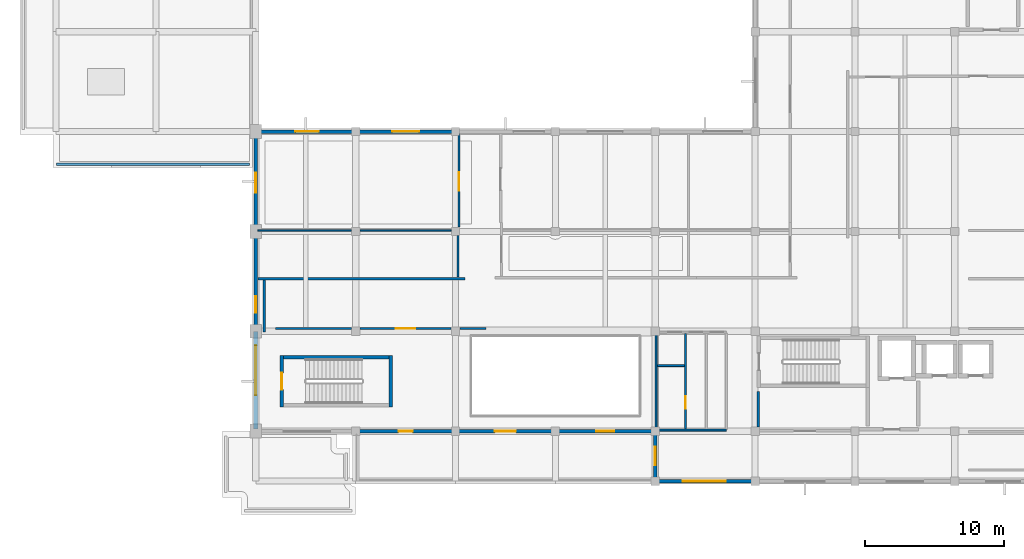
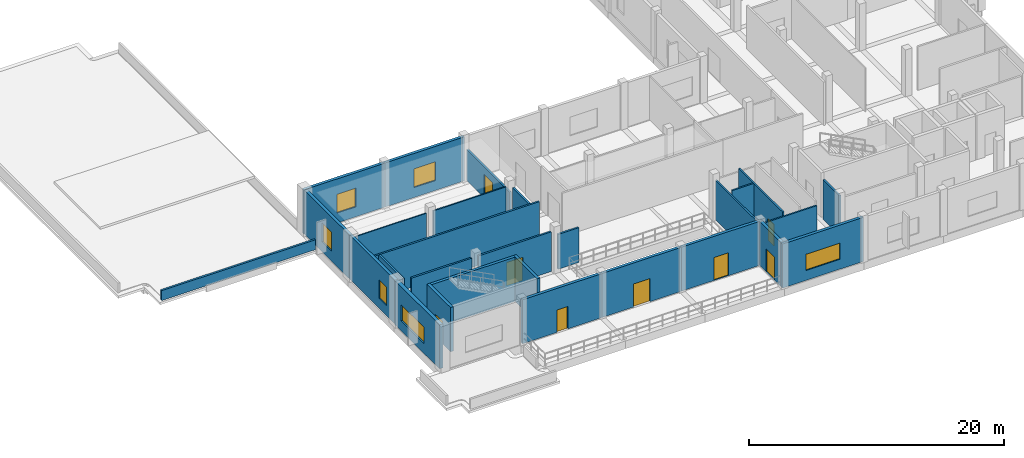
# One storey, part 4 of 14: 28 walls, 8 doors, 6 windows, 14 openings.
"""IFC4 building model written with IfcOpenShell, lengths in metres."""

from ifc_helpers import new_model, si_unit, direction, frame, frame_2d, origin, place, context, subcontext, project, spatial, rectangle, extrude, material, layer, layer_set, type_object, element, fill, save


model = new_model("IFC4")

# Units and contexts
model_context = context("Model", 3, precision=1e-05, world=origin(), true_north=direction((0.0, 1.0)))
body_context = subcontext(model_context, "Body", "Model", "MODEL_VIEW")
ifc_project = project(units=[si_unit("LENGTHUNIT", "METRE"), si_unit("AREAUNIT", "SQUARE_METRE"), si_unit("VOLUMEUNIT", "CUBIC_METRE"), si_unit("PLANEANGLEUNIT", "RADIAN"), si_unit("MASSUNIT", "GRAM", prefix="KILO")], contexts=[model_context])

# Site, building, storey
site_placement = place(None, origin())
site = spatial("IfcSite", under=ifc_project, at=site_placement, CompositionType="ELEMENT")
building_placement = place(site_placement, origin())
building = spatial("IfcBuilding", under=site, at=building_placement, Name="Seraya Terrace Polytechnic", CompositionType="ELEMENT")
storey_placement = place(building_placement, frame((0.0, 0.0, 27.89990234375)))
storey = spatial("IfcBuildingStorey", under=building, at=storey_placement, Name="L06", CompositionType="ELEMENT", Elevation=27.89990234375)

# Wall, opening, window
ifc_material_1 = material(Name="Precast concrete C40/50", Category="concrete")
ifc_layer_1 = layer(ifc_material_1, 0.260009765625, Name="EW-03")
ifc_layer_set_1 = layer_set([ifc_layer_1], Name="Precast concrete C40/50")
wall_type_1 = type_object("IfcWallType", Name="EW-03", PredefinedType="SOLIDWALL", material=ifc_layer_set_1)
wall_1_placement = place(storey_placement, frame((79.199951171875, 3.60009765625, 0.0), z_axis=(0.0, 0.0, 1.0), x_axis=(-1.0, 0.0, 0.0)))
wall_1 = element("IfcWall", 1, at=wall_1_placement, inside=storey, type_object=wall_type_1, Name="Exterior structural wall EW-03 L06", PredefinedType="SOLIDWALL", context=body_context, shape_type="SweptSolid", body=[
    extrude(rectangle(XDim=7.349853515625, YDim=0.260009765625, at=frame_2d((3.6748046875, 0.0))), origin(), (0.0, 0.0, 1.0), 4.22021484375),
])
opening_1_placement = place(wall_1_placement, frame((2.125, 0.0, 0.949951171875)))
opening_1 = element("IfcOpeningElement", 2, at=opening_1_placement, cuts=wall_1, Name="Opening WN-24", PredefinedType="OPENING", context=body_context, shape_type="SweptSolid", body=[
    extrude(rectangle(XDim=3.10009765625, YDim=1.550048828125, at=frame_2d((1.550048828125, 0.77490234375))), frame((0.0, 0.14208984375, 0.0), z_axis=(0.0, -1.0, 0.0), x_axis=(1.0, 0.0, 0.0)), (0.0, 0.0, 1.0), 0.283935546875),
])
ifc_material_2 = material(Name="Laminated solar-control Low-E double glazing", Category="glass")
window_type_1 = type_object("IfcWindowType", Name="WN-24", PartitioningType="SINGLE_PANEL", PredefinedType="WINDOW", material=ifc_material_2)
window_1_placement = place(opening_1_placement, origin())
window_1 = element("IfcWindow", 3, at=window_1_placement, inside=storey, type_object=window_type_1, Name="Exterior window WN-24 L06", OverallHeight=1.550048828125, OverallWidth=3.10009765625, PartitioningType="SINGLE_PANEL", PredefinedType="WINDOW", context=body_context, shape_type="SweptSolid", body=[
    extrude(rectangle(XDim=3.10009765625, YDim=1.550048828125, at=frame_2d((1.550048828125, 0.77490234375))), frame((0.0, 0.030029296875, 0.0), z_axis=(0.0, -1.0, 0.0), x_axis=(1.0, 0.0, 0.0)), (0.0, 0.0, 1.0), 0.06005859375),
])
fill(opening_1, window_1)

# Wall, opening, door
wall_2_placement = place(storey_placement, frame((72.0, 3.751953125, 0.0), z_axis=(0.0, 0.0, 1.0), x_axis=(0.0, 1.0, 0.0)))
wall_2 = element("IfcWall", 4, at=wall_2_placement, inside=storey, type_object=wall_type_1, Name="Exterior structural wall EW-03 L06", PredefinedType="SOLIDWALL", context=body_context, shape_type="SweptSolid", body=[
    extrude(rectangle(XDim=3.296142578125, YDim=0.260009765625, at=frame_2d((1.64794921875, 0.0))), origin(), (0.0, 0.0, 1.0), 4.22021484375),
])
opening_2_placement = place(wall_2_placement, frame((0.988037109375, 0.0, 0.0)))
opening_2 = element("IfcOpeningElement", 5, at=opening_2_placement, cuts=wall_2, Name="Opening TD-03", PredefinedType="OPENING", context=body_context, shape_type="SweptSolid", body=[
    extrude(rectangle(XDim=1.320068359375, YDim=2.199951171875, at=frame_2d((0.66015625, 1.10009765625))), frame((0.0, 0.14208984375, 0.0), z_axis=(0.0, -1.0, 0.0), x_axis=(1.0, 0.0, 0.0)), (0.0, 0.0, 1.0), 0.283935546875),
])
ifc_material_3 = material(Name="Anodised aluminium EN AW-6063 T6", Category="aluminium")
door_type_1 = type_object("IfcDoorType", Name="TD-03", OperationType="NOTDEFINED", PredefinedType="DOOR", material=ifc_material_3)
door_1_placement = place(opening_2_placement, origin())
door_1 = element("IfcDoor", 6, at=door_1_placement, inside=storey, type_object=door_type_1, Name="Door TD-03 DR-TERR-L06-01-00 in WL-EXT-L06-01-00", OperationType="SINGLE_SWING_LEFT", OverallHeight=2.199951171875, OverallWidth=1.320068359375, PredefinedType="DOOR", context=body_context, shape_type="SweptSolid", body=[
    extrude(rectangle(XDim=1.320068359375, YDim=2.199951171875, at=frame_2d((0.66015625, 1.10009765625))), frame((0.0, 0.02490234375, 0.0), z_axis=(0.0, -1.0, 0.0), x_axis=(1.0, 0.0, 0.0)), (0.0, 0.0, 1.0), 0.050048828125),
])
fill(opening_2, door_1)

wall_3_placement = place(storey_placement, frame((72.14990234375, 7.199951171875, 0.0), z_axis=(0.0, 0.0, 1.0), x_axis=(-1.0, 0.0, 0.0)))
wall_3 = element("IfcWall", 7, at=wall_3_placement, inside=storey, type_object=wall_type_1, Name="Exterior structural wall EW-03 L06", PredefinedType="SOLIDWALL", context=body_context, shape_type="SweptSolid", body=[
    extrude(rectangle(XDim=7.349853515625, YDim=0.260009765625, at=frame_2d((3.6748046875, 0.0))), origin(), (0.0, 0.0, 1.0), 4.22021484375),
])
opening_3_placement = place(wall_3_placement, frame((3.090087890625, 0.0, 0.0)))
opening_3 = element("IfcOpeningElement", 8, at=opening_3_placement, cuts=wall_3, Name="Opening TD-03", PredefinedType="OPENING", context=body_context, shape_type="SweptSolid", body=[
    extrude(rectangle(XDim=1.320068359375, YDim=2.199951171875, at=frame_2d((0.66015625, 1.10009765625))), frame((0.0, 0.14208984375, 0.0), z_axis=(0.0, -1.0, 0.0), x_axis=(1.0, 0.0, 0.0)), (0.0, 0.0, 1.0), 0.283935546875),
])
door_2_placement = place(opening_3_placement, origin())
door_2 = element("IfcDoor", 9, at=door_2_placement, inside=storey, type_object=door_type_1, Name="Door TD-03 DR-TERR-L06-02-00 in WL-EXT-L06-02-00", OperationType="SINGLE_SWING_RIGHT", OverallHeight=2.199951171875, OverallWidth=1.320068359375, PredefinedType="DOOR", context=body_context, shape_type="SweptSolid", body=[
    extrude(rectangle(XDim=1.320068359375, YDim=2.199951171875, at=frame_2d((0.66015625, 1.10009765625))), frame((0.0, 0.02490234375, 0.0), z_axis=(0.0, -1.0, 0.0), x_axis=(1.0, 0.0, 0.0)), (0.0, 0.0, 1.0), 0.050048828125),
])
fill(opening_3, door_2)

wall_4_placement = place(storey_placement, frame((64.800048828125, 7.199951171875, 0.0), z_axis=(0.0, 0.0, 1.0), x_axis=(-1.0, 0.0, 0.0)))
wall_4 = element("IfcWall", 10, at=wall_4_placement, inside=storey, type_object=wall_type_1, Name="Exterior structural wall EW-03 L06", PredefinedType="SOLIDWALL", context=body_context, shape_type="SweptSolid", body=[
    extrude(rectangle(XDim=7.199951171875, YDim=0.260009765625, at=frame_2d((3.60009765625, 0.0))), origin(), (0.0, 0.0, 1.0), 4.22021484375),
])
opening_4_placement = place(wall_4_placement, frame((2.840087890625, 0.0, 0.0)))
opening_4 = element("IfcOpeningElement", 11, at=opening_4_placement, cuts=wall_4, Name="Opening TD-04", PredefinedType="OPENING", context=body_context, shape_type="SweptSolid", body=[
    extrude(rectangle(XDim=1.52001953125, YDim=2.219970703125, at=frame_2d((0.760009765625, 1.10986328125))), frame((0.0, 0.14208984375, 0.0), z_axis=(0.0, -1.0, 0.0), x_axis=(1.0, 0.0, 0.0)), (0.0, 0.0, 1.0), 0.283935546875),
])
door_type_2 = type_object("IfcDoorType", Name="TD-04", OperationType="DOUBLE_DOOR_SINGLE_SWING", PredefinedType="DOOR", material=ifc_material_3)
door_3_placement = place(opening_4_placement, origin())
door_3 = element("IfcDoor", 12, at=door_3_placement, inside=storey, type_object=door_type_2, Name="Door TD-04 DR-TERR-L06-02-01 in WL-EXT-L06-02-01", OperationType="DOUBLE_DOOR_SINGLE_SWING", OverallHeight=2.219970703125, OverallWidth=1.52001953125, PredefinedType="DOOR", context=body_context, shape_type="SweptSolid", body=[
    extrude(rectangle(XDim=1.52001953125, YDim=2.219970703125, at=frame_2d((0.760009765625, 1.10986328125))), frame((0.0, 0.02490234375, 0.0), z_axis=(0.0, -1.0, 0.0), x_axis=(1.0, 0.0, 0.0)), (0.0, 0.0, 1.0), 0.050048828125),
])
fill(opening_4, door_3)

wall_5_placement = place(storey_placement, frame((57.60009765625, 7.199951171875, 0.0), z_axis=(0.0, 0.0, 1.0), x_axis=(-1.0, 0.0, 0.0)))
wall_5 = element("IfcWall", 13, at=wall_5_placement, inside=storey, type_object=wall_type_1, Name="Exterior structural wall EW-03 L06", PredefinedType="SOLIDWALL", context=body_context, shape_type="SweptSolid", body=[
    extrude(rectangle(XDim=7.2001953125, YDim=0.260009765625, at=frame_2d((3.60009765625, 0.0))), origin(), (0.0, 0.0, 1.0), 4.22021484375),
])
opening_5_placement = place(wall_5_placement, frame((3.10009765625, 0.0, 0.0)))
opening_5 = element("IfcOpeningElement", 14, at=opening_5_placement, cuts=wall_5, Name="Opening TD-01", PredefinedType="OPENING", context=body_context, shape_type="SweptSolid", body=[
    extrude(rectangle(XDim=1.0, YDim=2.14990234375, at=frame_2d((0.5, 1.074951171875))), frame((0.0, 0.14208984375, 0.0), z_axis=(0.0, -1.0, 0.0), x_axis=(1.0, 0.0, 0.0)), (0.0, 0.0, 1.0), 0.283935546875),
])
door_type_3 = type_object("IfcDoorType", Name="TD-01", OperationType="NOTDEFINED", PredefinedType="DOOR", material=ifc_material_3)
door_4_placement = place(opening_5_placement, origin())
door_4 = element("IfcDoor", 15, at=door_4_placement, inside=storey, type_object=door_type_3, Name="Door TD-01 DR-TERR-L06-02-02 in WL-EXT-L06-02-02", OperationType="SINGLE_SWING_RIGHT", OverallHeight=2.14990234375, OverallWidth=1.0, PredefinedType="DOOR", context=body_context, shape_type="SweptSolid", body=[
    extrude(rectangle(XDim=1.0, YDim=2.14990234375, at=frame_2d((0.5, 1.074951171875))), frame((0.0, 0.02490234375, 0.0), z_axis=(0.0, -1.0, 0.0), x_axis=(1.0, 0.0, 0.0)), (0.0, 0.0, 1.0), 0.050048828125),
])
fill(opening_5, door_4)

# Wall, opening, window
wall_6_placement = place(storey_placement, frame((43.199951171875, 14.39990234375, 0.0), z_axis=(0.0, 0.0, 1.0), x_axis=(0.0, 1.0, 0.0)))
wall_6 = element("IfcWall", 16, at=wall_6_placement, inside=storey, type_object=wall_type_1, Name="Exterior structural wall EW-03 L06", PredefinedType="SOLIDWALL", context=body_context, shape_type="SweptSolid", body=[
    extrude(rectangle(XDim=7.2001953125, YDim=0.260009765625, at=frame_2d((3.60009765625, 0.0))), origin(), (0.0, 0.0, 1.0), 4.22021484375),
])
opening_6_placement = place(wall_6_placement, frame((1.340087890625, 0.0, 0.949951171875)))
opening_6 = element("IfcOpeningElement", 17, at=opening_6_placement, cuts=wall_6, Name="Opening WN-27", PredefinedType="OPENING", context=body_context, shape_type="SweptSolid", body=[
    extrude(rectangle(XDim=1.199951171875, YDim=1.800048828125, at=frame_2d((0.60009765625, 0.89990234375))), frame((0.0, 0.14208984375, 0.0), z_axis=(0.0, -1.0, 0.0), x_axis=(1.0, 0.0, 0.0)), (0.0, 0.0, 1.0), 0.283935546875),
])
window_type_2 = type_object("IfcWindowType", Name="WN-27", PartitioningType="SINGLE_PANEL", PredefinedType="WINDOW", material=ifc_material_2)
window_2_placement = place(opening_6_placement, origin())
window_2 = element("IfcWindow", 18, at=window_2_placement, inside=storey, type_object=window_type_2, Name="Exterior window WN-27 L06", OverallHeight=1.800048828125, OverallWidth=1.199951171875, PartitioningType="SINGLE_PANEL", PredefinedType="WINDOW", context=body_context, shape_type="SweptSolid", body=[
    extrude(rectangle(XDim=1.199951171875, YDim=1.800048828125, at=frame_2d((0.60009765625, 0.89990234375))), frame((0.0, 0.030029296875, 0.0), z_axis=(0.0, -1.0, 0.0), x_axis=(1.0, 0.0, 0.0)), (0.0, 0.0, 1.0), 0.06005859375),
])
fill(opening_6, window_2)

wall_7_placement = place(storey_placement, frame((43.199951171875, 21.60009765625, 0.0), z_axis=(0.0, 0.0, 1.0), x_axis=(0.0, 1.0, 0.0)))
wall_7 = element("IfcWall", 19, at=wall_7_placement, inside=storey, type_object=wall_type_1, Name="Exterior structural wall EW-03 L06", PredefinedType="SOLIDWALL", context=body_context, shape_type="SweptSolid", body=[
    extrude(rectangle(XDim=7.033935546875, YDim=0.260009765625, at=frame_2d((3.51708984375, 0.0))), origin(), (0.0, 0.0, 1.0), 4.22021484375),
])
opening_7_placement = place(wall_7_placement, frame((2.7919921875, 0.0, 0.949951171875)))
opening_7 = element("IfcOpeningElement", 20, at=opening_7_placement, cuts=wall_7, Name="Opening WN-28", PredefinedType="OPENING", context=body_context, shape_type="SweptSolid", body=[
    extrude(rectangle(XDim=1.449951171875, YDim=1.800048828125, at=frame_2d((0.72509765625, 0.89990234375))), frame((0.0, 0.14208984375, 0.0), z_axis=(0.0, -1.0, 0.0), x_axis=(1.0, 0.0, 0.0)), (0.0, 0.0, 1.0), 0.283935546875),
])
window_type_3 = type_object("IfcWindowType", Name="WN-28", PartitioningType="SINGLE_PANEL", PredefinedType="WINDOW", material=ifc_material_2)
window_3_placement = place(opening_7_placement, origin())
window_3 = element("IfcWindow", 21, at=window_3_placement, inside=storey, type_object=window_type_3, Name="Exterior window WN-28 L06", OverallHeight=1.800048828125, OverallWidth=1.449951171875, PartitioningType="SINGLE_PANEL", PredefinedType="WINDOW", context=body_context, shape_type="SweptSolid", body=[
    extrude(rectangle(XDim=1.449951171875, YDim=1.800048828125, at=frame_2d((0.72509765625, 0.89990234375))), frame((0.0, 0.030029296875, 0.0), z_axis=(0.0, -1.0, 0.0), x_axis=(1.0, 0.0, 0.0)), (0.0, 0.0, 1.0), 0.06005859375),
])
fill(opening_7, window_3)

wall_8_placement = place(storey_placement, frame((43.050048828125, 28.800048828125, 0.0), z_axis=(0.0, 0.0, 1.0), x_axis=(1.0, 0.0, 0.0)))
wall_8 = element("IfcWall", 22, at=wall_8_placement, inside=storey, type_object=wall_type_1, Name="Exterior structural wall EW-03 L06", PredefinedType="SOLIDWALL", context=body_context, shape_type="SweptSolid", body=[
    extrude(rectangle(XDim=7.349853515625, YDim=0.260009765625, at=frame_2d((3.6748046875, 0.0))), origin(), (0.0, 0.0, 1.0), 4.22021484375),
])
opening_8_placement = place(wall_8_placement, frame((3.0, 0.0, 0.949951171875)))
opening_8 = element("IfcOpeningElement", 23, at=opening_8_placement, cuts=wall_8, Name="Opening WN-29", PredefinedType="OPENING", context=body_context, shape_type="SweptSolid", body=[
    extrude(rectangle(XDim=1.699951171875, YDim=1.800048828125, at=frame_2d((0.85009765625, 0.89990234375))), frame((0.0, 0.14208984375, 0.0), z_axis=(0.0, -1.0, 0.0), x_axis=(1.0, 0.0, 0.0)), (0.0, 0.0, 1.0), 0.283935546875),
])
window_type_4 = type_object("IfcWindowType", Name="WN-29", PartitioningType="SINGLE_PANEL", PredefinedType="WINDOW", material=ifc_material_2)
window_4_placement = place(opening_8_placement, origin())
window_4 = element("IfcWindow", 24, at=window_4_placement, inside=storey, type_object=window_type_4, Name="Exterior window WN-29 L06", OverallHeight=1.800048828125, OverallWidth=1.699951171875, PartitioningType="SINGLE_PANEL", PredefinedType="WINDOW", context=body_context, shape_type="SweptSolid", body=[
    extrude(rectangle(XDim=1.699951171875, YDim=1.800048828125, at=frame_2d((0.85009765625, 0.89990234375))), frame((0.0, 0.030029296875, 0.0), z_axis=(0.0, -1.0, 0.0), x_axis=(1.0, 0.0, 0.0)), (0.0, 0.0, 1.0), 0.06005859375),
])
fill(opening_8, window_4)

wall_9_placement = place(storey_placement, frame((50.39990234375, 28.800048828125, 0.0), z_axis=(0.0, 0.0, 1.0), x_axis=(1.0, 0.0, 0.0)))
wall_9 = element("IfcWall", 25, at=wall_9_placement, inside=storey, type_object=wall_type_1, Name="Exterior structural wall EW-03 L06", PredefinedType="SOLIDWALL", context=body_context, shape_type="SweptSolid", body=[
    extrude(rectangle(XDim=7.2001953125, YDim=0.260009765625, at=frame_2d((3.60009765625, 0.0))), origin(), (0.0, 0.0, 1.0), 4.22021484375),
])
opening_9_placement = place(wall_9_placement, frame((2.625, 0.0, 0.949951171875)))
opening_9 = element("IfcOpeningElement", 26, at=opening_9_placement, cuts=wall_9, Name="Opening WN-30", PredefinedType="OPENING", context=body_context, shape_type="SweptSolid", body=[
    extrude(rectangle(XDim=1.949951171875, YDim=1.800048828125, at=frame_2d((0.97509765625, 0.89990234375))), frame((0.0, 0.14208984375, 0.0), z_axis=(0.0, -1.0, 0.0), x_axis=(1.0, 0.0, 0.0)), (0.0, 0.0, 1.0), 0.283935546875),
])
window_type_5 = type_object("IfcWindowType", Name="WN-30", PartitioningType="SINGLE_PANEL", PredefinedType="WINDOW", material=ifc_material_2)
window_5_placement = place(opening_9_placement, origin())
window_5 = element("IfcWindow", 27, at=window_5_placement, inside=storey, type_object=window_type_5, Name="Exterior window WN-30 L06", OverallHeight=1.800048828125, OverallWidth=1.949951171875, PartitioningType="SINGLE_PANEL", PredefinedType="WINDOW", context=body_context, shape_type="SweptSolid", body=[
    extrude(rectangle(XDim=1.949951171875, YDim=1.800048828125, at=frame_2d((0.97509765625, 0.89990234375))), frame((0.0, 0.030029296875, 0.0), z_axis=(0.0, -1.0, 0.0), x_axis=(1.0, 0.0, 0.0)), (0.0, 0.0, 1.0), 0.06005859375),
])
fill(opening_9, window_5)

ifc_material_4 = material(Name="Concrete C40/50", Category="concrete")
ifc_layer_2 = layer(ifc_material_4, 0.330078125, Name="EW-06")
ifc_layer_set_2 = layer_set([ifc_layer_2], Name="Concrete C40/50")
wall_type_2 = type_object("IfcWallType", Name="EW-06", PredefinedType="SOLIDWALL", material=ifc_layer_set_2)
wall_10_placement = place(storey_placement, frame((43.199951171875, 7.365966796875, 0.0), z_axis=(0.0, 0.0, 1.0), x_axis=(0.0, 1.0, 0.0)))
wall_10 = element("IfcWall", 28, at=wall_10_placement, inside=storey, type_object=wall_type_2, Name="Exterior structural wall EW-06 L06", PredefinedType="SOLIDWALL", context=body_context, shape_type="SweptSolid", body=[
    extrude(rectangle(XDim=7.033935546875, YDim=0.330078125, at=frame_2d((3.51708984375, 0.0))), origin(), (0.0, 0.0, 1.0), 4.22021484375),
])
opening_10_placement = place(wall_10_placement, frame((2.424072265625, 0.0, 0.949951171875)))
opening_10 = element("IfcOpeningElement", 29, at=opening_10_placement, cuts=wall_10, Name="Opening WN-26", PredefinedType="OPENING", context=body_context, shape_type="SweptSolid", body=[
    extrude(rectangle(XDim=3.60009765625, YDim=1.550048828125, at=frame_2d((1.800048828125, 0.77490234375))), frame((0.0, 0.177001953125, 0.0), z_axis=(0.0, -1.0, 0.0), x_axis=(1.0, 0.0, 0.0)), (0.0, 0.0, 1.0), 0.35400390625),
])
window_type_6 = type_object("IfcWindowType", Name="WN-26", PartitioningType="SINGLE_PANEL", PredefinedType="WINDOW", material=ifc_material_2)
window_6_placement = place(opening_10_placement, origin())
window_6 = element("IfcWindow", 30, at=window_6_placement, inside=storey, type_object=window_type_6, Name="Exterior window WN-26 L06", OverallHeight=1.550048828125, OverallWidth=3.60009765625, PartitioningType="SINGLE_PANEL", PredefinedType="WINDOW", context=body_context, shape_type="SweptSolid", body=[
    extrude(rectangle(XDim=3.60009765625, YDim=1.550048828125, at=frame_2d((1.800048828125, 0.77490234375))), frame((0.0, 0.030029296875, 0.0), z_axis=(0.0, -1.0, 0.0), x_axis=(1.0, 0.0, 0.0)), (0.0, 0.0, 1.0), 0.06005859375),
])
fill(opening_10, window_6)

# Wall
ifc_material_5 = material(Name="Autoclaved aerated concrete blockwork", Category="masonry")
ifc_layer_3 = layer(ifc_material_5, 0.169921875, Name="PT-02")
ifc_layer_set_3 = layer_set([ifc_layer_3], Name="Autoclaved aerated concrete blockwork")
wall_type_3 = type_object("IfcWallType", Name="PT-02", PredefinedType="PARTITIONING", material=ifc_layer_set_3)
wall_11_placement = place(storey_placement, frame((43.342041015625, 18.199951171875, 0.0), z_axis=(0.0, 0.0, 1.0), x_axis=(1.0, 0.0, 0.0)))
element("IfcWall", 31, at=wall_11_placement, inside=storey, type_object=wall_type_3, Name="Internal partition PT-02 L06", PredefinedType="PARTITIONING", context=body_context, shape_type="SweptSolid", body=[
    extrude(rectangle(XDim=14.939453125, YDim=0.169921875, at=frame_2d((7.4697265625, 0.0))), origin(), (0.0, 0.0, 1.0), 4.16015625),
])

# Wall, opening, door
wall_12_placement = place(storey_placement, frame((50.7099609375, 14.60009765625, 0.0), z_axis=(0.0, 0.0, 1.0), x_axis=(1.0, 0.0, 0.0)))
wall_12 = element("IfcWall", 32, at=wall_12_placement, inside=storey, type_object=wall_type_3, Name="Internal partition PT-02 L06", PredefinedType="PARTITIONING", context=body_context, shape_type="SweptSolid", body=[
    extrude(rectangle(XDim=6.580078125, YDim=0.169921875, at=frame_2d((3.2900390625, 0.0))), origin(), (0.0, 0.0, 1.0), 3.800048828125),
])
opening_11_placement = place(wall_12_placement, frame((2.580078125, 0.0, 0.0)))
opening_11 = element("IfcOpeningElement", 33, at=opening_11_placement, cuts=wall_12, Name="Opening ID-10", PredefinedType="OPENING", context=body_context, shape_type="SweptSolid", body=[
    extrude(rectangle(XDim=1.419921875, YDim=2.239990234375, at=frame_2d((0.7099609375, 1.1201171875))), frame((0.0, 0.096923828125, 0.0), z_axis=(0.0, -1.0, 0.0), x_axis=(1.0, 0.0, 0.0)), (0.0, 0.0, 1.0), 0.19384765625),
])
ifc_material_6 = material(Name="Malaysian dark red meranti hardwood timber D40", Category="wood")
door_type_4 = type_object("IfcDoorType", Name="ID-10", OperationType="DOUBLE_DOOR_SINGLE_SWING", PredefinedType="DOOR", material=ifc_material_6)
door_5_placement = place(opening_11_placement, frame((1.419921875, 0.0, 0.0), z_axis=(0.0, 0.0, 1.0), x_axis=(-1.0, 0.0, 0.0)))
door_5 = element("IfcDoor", 34, at=door_5_placement, inside=storey, type_object=door_type_4, Name="Door ID-10 DR-INT-L06-0263 in WL-INT-L06-0744", OperationType="DOUBLE_DOOR_SINGLE_SWING", OverallHeight=2.239990234375, OverallWidth=1.419921875, PredefinedType="DOOR", context=body_context, shape_type="SweptSolid", body=[
    extrude(rectangle(XDim=1.419921875, YDim=2.239990234375, at=frame_2d((0.7099609375, 1.1201171875))), frame((0.0, 0.02490234375, 0.0), z_axis=(0.0, -1.0, 0.0), x_axis=(1.0, 0.0, 0.0)), (0.0, 0.0, 1.0), 0.050048828125),
])
fill(opening_11, door_5)

# Walls
wall_13_placement = place(storey_placement, frame((44.618408203125, 14.60009765625, 0.0), z_axis=(0.0, 0.0, 1.0), x_axis=(1.0, 0.0, 0.0)))
element("IfcWall", 35, at=wall_13_placement, inside=storey, type_object=wall_type_3, Name="Internal partition PT-02 L06", PredefinedType="PARTITIONING", context=body_context, shape_type="SweptSolid", body=[
    extrude(rectangle(XDim=5.4716796875, YDim=0.169921875, at=frame_2d((2.73583984375, 0.0))), origin(), (0.0, 0.0, 1.0), 3.800048828125),
])
wall_14_placement = place(storey_placement, frame((57.909912109375, 14.60009765625, 0.0), z_axis=(0.0, 0.0, 1.0), x_axis=(1.0, 0.0, 0.0)))
element("IfcWall", 36, at=wall_14_placement, inside=storey, type_object=wall_type_3, Name="Internal partition PT-02 L06", PredefinedType="PARTITIONING", context=body_context, shape_type="SweptSolid", body=[
    extrude(rectangle(XDim=1.87158203125, YDim=0.169921875, at=frame_2d((0.935791015625, 0.0))), origin(), (0.0, 0.0, 1.0), 3.330078125),
])
wall_15_placement = place(storey_placement, frame((43.800048828125, 14.360107421875, 0.0), z_axis=(0.0, 0.0, 1.0), x_axis=(0.0, 1.0, 0.0)))
element("IfcWall", 37, at=wall_15_placement, inside=storey, type_object=wall_type_3, Name="Internal partition PT-02 L06", PredefinedType="PARTITIONING", context=body_context, shape_type="SweptSolid", body=[
    extrude(rectangle(XDim=3.739990234375, YDim=0.169921875, at=frame_2d((1.8701171875, 0.0))), origin(), (0.0, 0.0, 1.0), 4.16015625),
])
wall_16_placement = place(storey_placement, frame((79.419921875, 7.510009765625, 0.0), z_axis=(0.0, 0.0, 1.0), x_axis=(0.0, 1.0, 0.0)))
element("IfcWall", 38, at=wall_16_placement, inside=storey, type_object=wall_type_3, Name="Internal partition PT-02 L06", PredefinedType="PARTITIONING", context=body_context, shape_type="SweptSolid", body=[
    extrude(rectangle(XDim=2.540283203125, YDim=0.169921875, at=frame_2d((1.27001953125, 0.0))), origin(), (0.0, 0.0, 1.0), 3.780029296875),
])
wall_17_placement = place(storey_placement, frame((57.780029296875, 18.300048828125, 0.0), z_axis=(0.0, 0.0, 1.0), x_axis=(0.0, 1.0, 0.0)))
element("IfcWall", 39, at=wall_17_placement, inside=storey, type_object=wall_type_3, Name="Internal partition PT-02 L06", PredefinedType="PARTITIONING", context=body_context, shape_type="SweptSolid", body=[
    extrude(rectangle(XDim=2.989990234375, YDim=0.169921875, at=frame_2d((1.4951171875, 0.0))), origin(), (0.0, 0.0, 1.0), 3.780029296875),
])

# Wall, opening, door
wall_18_placement = place(storey_placement, frame((57.85009765625, 21.909912109375, 0.0), z_axis=(0.0, 0.0, 1.0), x_axis=(0.0, 1.0, 0.0)))
wall_18 = element("IfcWall", 40, at=wall_18_placement, inside=storey, type_object=wall_type_3, Name="Internal partition PT-02 L06", PredefinedType="PARTITIONING", context=body_context, shape_type="SweptSolid", body=[
    extrude(rectangle(XDim=6.748046875, YDim=0.169921875, at=frame_2d((3.3740234375, 0.0))), origin(), (0.0, 0.0, 1.0), 2.97998046875),
])
opening_12_placement = place(wall_18_placement, frame((2.6201171875, 0.0, 0.0)))
opening_12 = element("IfcOpeningElement", 41, at=opening_12_placement, cuts=wall_18, Name="Opening ID-09", PredefinedType="OPENING", context=body_context, shape_type="SweptSolid", body=[
    extrude(rectangle(XDim=1.340087890625, YDim=2.239990234375, at=frame_2d((0.669921875, 1.1201171875))), frame((0.0, 0.096923828125, 0.0), z_axis=(0.0, -1.0, 0.0), x_axis=(1.0, 0.0, 0.0)), (0.0, 0.0, 1.0), 0.19384765625),
])
door_type_5 = type_object("IfcDoorType", Name="ID-09", OperationType="NOTDEFINED", PredefinedType="DOOR", material=ifc_material_6)
door_6_placement = place(opening_12_placement, origin())
door_6 = element("IfcDoor", 42, at=door_6_placement, inside=storey, type_object=door_type_5, Name="Door ID-09 DR-INT-L06-0262 in WL-INT-L06-0764", OperationType="SINGLE_SWING_LEFT", OverallHeight=2.239990234375, OverallWidth=1.340087890625, PredefinedType="DOOR", context=body_context, shape_type="SweptSolid", body=[
    extrude(rectangle(XDim=1.340087890625, YDim=2.239990234375, at=frame_2d((0.669921875, 1.1201171875))), frame((0.0, 0.02490234375, 0.0), z_axis=(0.0, -1.0, 0.0), x_axis=(1.0, 0.0, 0.0)), (0.0, 0.0, 1.0), 0.050048828125),
])
fill(opening_12, door_6)

# Walls
ifc_layer_4 = layer(ifc_material_5, 0.139892578125, Name="PT-04")
ifc_layer_set_4 = layer_set([ifc_layer_4], Name="Autoclaved aerated concrete blockwork")
wall_type_4 = type_object("IfcWallType", Name="PT-04", PredefinedType="PARTITIONING", material=ifc_layer_set_4)
wall_19_placement = place(storey_placement, frame((72.070068359375, 7.27001953125, 0.0), z_axis=(0.0, 0.0, 1.0), x_axis=(1.0, 0.0, 0.0)))
element("IfcWall", 43, at=wall_19_placement, inside=storey, type_object=wall_type_4, Name="Sanitary WC-A South wall L06", PredefinedType="PARTITIONING", context=body_context, shape_type="SweptSolid", body=[
    extrude(rectangle(XDim=5.059814453125, YDim=0.139892578125, at=frame_2d((2.52978515625, 0.0))), origin(), (0.0, 0.0, 1.0), 3.800048828125),
])
wall_20_placement = place(storey_placement, frame((72.070068359375, 7.35009765625, 0.0), z_axis=(0.0, 0.0, 1.0), x_axis=(0.0, 1.0, 0.0)))
element("IfcWall", 44, at=wall_20_placement, inside=storey, type_object=wall_type_4, Name="Sanitary WC-A West wall L06", PredefinedType="PARTITIONING", context=body_context, shape_type="SweptSolid", body=[
    extrude(rectangle(XDim=6.89990234375, YDim=0.139892578125, at=frame_2d((3.449951171875, 0.0))), origin(), (0.0, 0.0, 1.0), 3.780029296875),
])

# Wall, opening, door
wall_21_placement = place(storey_placement, frame((74.179931640625, 7.35009765625, 0.0), z_axis=(0.0, 0.0, 1.0), x_axis=(0.0, 1.0, 0.0)))
wall_21 = element("IfcWall", 45, at=wall_21_placement, inside=storey, type_object=wall_type_4, Name="Sanitary WC-A OKU/Male divider L06", PredefinedType="PARTITIONING", context=body_context, shape_type="SweptSolid", body=[
    extrude(rectangle(XDim=6.89990234375, YDim=0.139892578125, at=frame_2d((3.449951171875, 0.0))), origin(), (0.0, 0.0, 1.0), 4.16015625),
])
opening_13_placement = place(wall_21_placement, frame((1.449951171875, 0.0, 0.0)))
opening_13 = element("IfcOpeningElement", 46, at=opening_13_placement, cuts=wall_21, Name="Opening ID-02", PredefinedType="OPENING", context=body_context, shape_type="SweptSolid", body=[
    extrude(rectangle(XDim=0.89990234375, YDim=2.080078125, at=frame_2d((0.449951171875, 1.0400390625))), frame((0.0, 0.08203125, 0.0), z_axis=(0.0, -1.0, 0.0), x_axis=(1.0, 0.0, 0.0)), (0.0, 0.0, 1.0), 0.163818359375),
])
door_type_6 = type_object("IfcDoorType", Name="ID-02", OperationType="NOTDEFINED", PredefinedType="DOOR", material=ifc_material_6)
door_7_placement = place(opening_13_placement, origin())
door_7 = element("IfcDoor", 47, at=door_7_placement, inside=storey, type_object=door_type_6, Name="Door ID-02 DR-WC-WC-A-L06-CLN in WL-WC-WC-A-L06-D1", OperationType="SINGLE_SWING_RIGHT", OverallHeight=2.080078125, OverallWidth=0.89990234375, PredefinedType="DOOR", context=body_context, shape_type="SweptSolid", body=[
    extrude(rectangle(XDim=0.89990234375, YDim=2.080078125, at=frame_2d((0.449951171875, 1.0400390625))), frame((0.0, 0.02490234375, 0.0), z_axis=(0.0, -1.0, 0.0), x_axis=(1.0, 0.0, 0.0)), (0.0, 0.0, 1.0), 0.050048828125),
])
fill(opening_13, door_7)

# Walls
wall_22_placement = place(storey_placement, frame((72.14990234375, 11.919921875, 0.0), z_axis=(0.0, 0.0, 1.0), x_axis=(1.0, 0.0, 0.0)))
element("IfcWall", 48, at=wall_22_placement, inside=storey, type_object=wall_type_4, Name="Sanitary WC-A OKU/Cleaner divider L06", PredefinedType="PARTITIONING", context=body_context, shape_type="SweptSolid", body=[
    extrude(rectangle(XDim=1.9501953125, YDim=0.139892578125, at=frame_2d((0.97509765625, 0.0))), origin(), (0.0, 0.0, 1.0), 4.16015625),
])
ifc_layer_5 = layer(ifc_material_5, 0.1201171875, Name="PT-05")
ifc_layer_set_5 = layer_set([ifc_layer_5], Name="Autoclaved aerated concrete blockwork")
wall_type_5 = type_object("IfcWallType", Name="PT-05", PredefinedType="PARTITIONING", material=ifc_layer_set_5)
wall_23_placement = place(storey_placement, frame((50.7099609375, 21.67333984375, 0.0), z_axis=(0.0, 0.0, 1.0), x_axis=(1.0, 0.0, 0.0)))
element("IfcWall", 49, at=wall_23_placement, inside=storey, type_object=wall_type_5, Name="Internal partition PT-05 L06", PredefinedType="PARTITIONING", context=body_context, shape_type="SweptSolid", body=[
    extrude(rectangle(XDim=6.580078125, YDim=0.1201171875, at=frame_2d((3.2900390625, 0.0))), origin(), (0.0, 0.0, 1.0), 3.800048828125),
])
ifc_layer_6 = layer(ifc_material_5, 0.10009765625, Name="PT-06")
ifc_layer_set_6 = layer_set([ifc_layer_6], Name="Autoclaved aerated concrete blockwork")
wall_type_6 = type_object("IfcWallType", Name="PT-06", PredefinedType="PARTITIONING", material=ifc_layer_set_6)
wall_24_placement = place(storey_placement, frame((43.342041015625, 21.67333984375, 0.0), z_axis=(0.0, 0.0, 1.0), x_axis=(1.0, 0.0, 0.0)))
element("IfcWall", 50, at=wall_24_placement, inside=storey, type_object=wall_type_6, Name="Internal partition PT-06 L06", PredefinedType="PARTITIONING", context=body_context, shape_type="SweptSolid", body=[
    extrude(rectangle(XDim=6.748046875, YDim=0.10009765625, at=frame_2d((3.3740234375, 0.0))), origin(), (0.0, 0.0, 1.0), 3.800048828125),
])
ifc_layer_7 = layer(ifc_material_1, 0.179931640625, Name="PW-P2")
ifc_layer_set_7 = layer_set([ifc_layer_7], Name="Precast concrete C40/50")
wall_type_7 = type_object("IfcWallType", Name="PW-P2", PredefinedType="PARAPET", material=ifc_layer_set_7)
wall_25_placement = place(storey_placement, frame((42.75, 26.449951171875, 0.0), z_axis=(0.0, 0.0, 1.0), x_axis=(-1.0, 0.0, 0.0)))
element("IfcWall", 51, at=wall_25_placement, inside=storey, type_object=wall_type_7, Name="Roof parapet ROOF-L06-WEST 15.1", PredefinedType="PARAPET", context=body_context, shape_type="SweptSolid", body=[
    extrude(rectangle(XDim=13.919921875, YDim=0.179931640625, at=frame_2d((6.9599609375, 0.0))), origin(), (0.0, 0.0, 1.0), 0.9501953125),
])

# Wall, opening, door
ifc_layer_8 = layer(ifc_material_4, 0.25, Name="SW-02")
ifc_layer_set_8 = layer_set([ifc_layer_8], Name="Concrete C40/50")
wall_type_8 = type_object("IfcWallType", Name="SW-02", PredefinedType="SHEAR", material=ifc_layer_set_8)
wall_26_placement = place(storey_placement, frame((45.074951171875, 8.949951171875, 0.0), z_axis=(0.0, 0.0, 1.0), x_axis=(0.0, 1.0, 0.0)))
wall_26 = element("IfcWall", 52, at=wall_26_placement, inside=storey, type_object=wall_type_8, Name="Stairwell ST-03 West wall L06", PredefinedType="SHEAR", context=body_context, shape_type="SweptSolid", body=[
    extrude(rectangle(XDim=3.699951171875, YDim=0.25, at=frame_2d((1.85009765625, 0.0))), origin(), (0.0, 0.0, 1.0), 4.25),
])
opening_14_placement = place(wall_26_placement, frame((1.25, 0.0, 0.0)))
opening_14 = element("IfcOpeningElement", 53, at=opening_14_placement, cuts=wall_26, Name="Opening FD-01", PredefinedType="OPENING", context=body_context, shape_type="SweptSolid", body=[
    extrude(rectangle(XDim=1.199951171875, YDim=2.14990234375, at=frame_2d((0.60009765625, 1.074951171875))), frame((0.0, 0.136962890625, 0.0), z_axis=(0.0, -1.0, 0.0), x_axis=(1.0, 0.0, 0.0)), (0.0, 0.0, 1.0), 0.27392578125),
])
ifc_material_7 = material(Name="Steel S355J2", Category="steel")
door_type_7 = type_object("IfcDoorType", Name="FD-01", OperationType="NOTDEFINED", PredefinedType="DOOR", material=ifc_material_7)
door_8_placement = place(opening_14_placement, frame((1.199951171875, 0.0, 0.0), z_axis=(0.0, 0.0, 1.0), x_axis=(-1.0, 0.0, 0.0)))
door_8 = element("IfcDoor", 54, at=door_8_placement, inside=storey, type_object=door_type_7, Name="Door FD-01 DR-STR-ST-03-L06 in WL-STR-ST-03-L06-W", OperationType="SINGLE_SWING_RIGHT", OverallHeight=2.14990234375, OverallWidth=1.199951171875, PredefinedType="DOOR", context=body_context, shape_type="SweptSolid", body=[
    extrude(rectangle(XDim=1.199951171875, YDim=2.14990234375, at=frame_2d((0.60009765625, 1.074951171875))), frame((0.0, 0.02490234375, 0.0), z_axis=(0.0, -1.0, 0.0), x_axis=(1.0, 0.0, 0.0)), (0.0, 0.0, 1.0), 0.050048828125),
])
fill(opening_14, door_8)

# Walls
wall_27_placement = place(storey_placement, frame((52.925048828125, 8.949951171875, 0.0), z_axis=(0.0, 0.0, 1.0), x_axis=(0.0, 1.0, 0.0)))
element("IfcWall", 55, at=wall_27_placement, inside=storey, type_object=wall_type_8, Name="Stairwell ST-03 East wall L06", PredefinedType="SHEAR", context=body_context, shape_type="SweptSolid", body=[
    extrude(rectangle(XDim=3.699951171875, YDim=0.25, at=frame_2d((1.85009765625, 0.0))), origin(), (0.0, 0.0, 1.0), 4.25),
])
wall_28_placement = place(storey_placement, frame((45.199951171875, 12.52490234375, 0.0), z_axis=(0.0, 0.0, 1.0), x_axis=(1.0, 0.0, 0.0)))
element("IfcWall", 56, at=wall_28_placement, inside=storey, type_object=wall_type_8, Name="Stairwell ST-03 North wall L06", PredefinedType="SHEAR", context=body_context, shape_type="SweptSolid", body=[
    extrude(rectangle(XDim=7.60009765625, YDim=0.25, at=frame_2d((3.800048828125, 0.0))), origin(), (0.0, 0.0, 1.0), 4.25),
])

save(model, "model.ifc")
